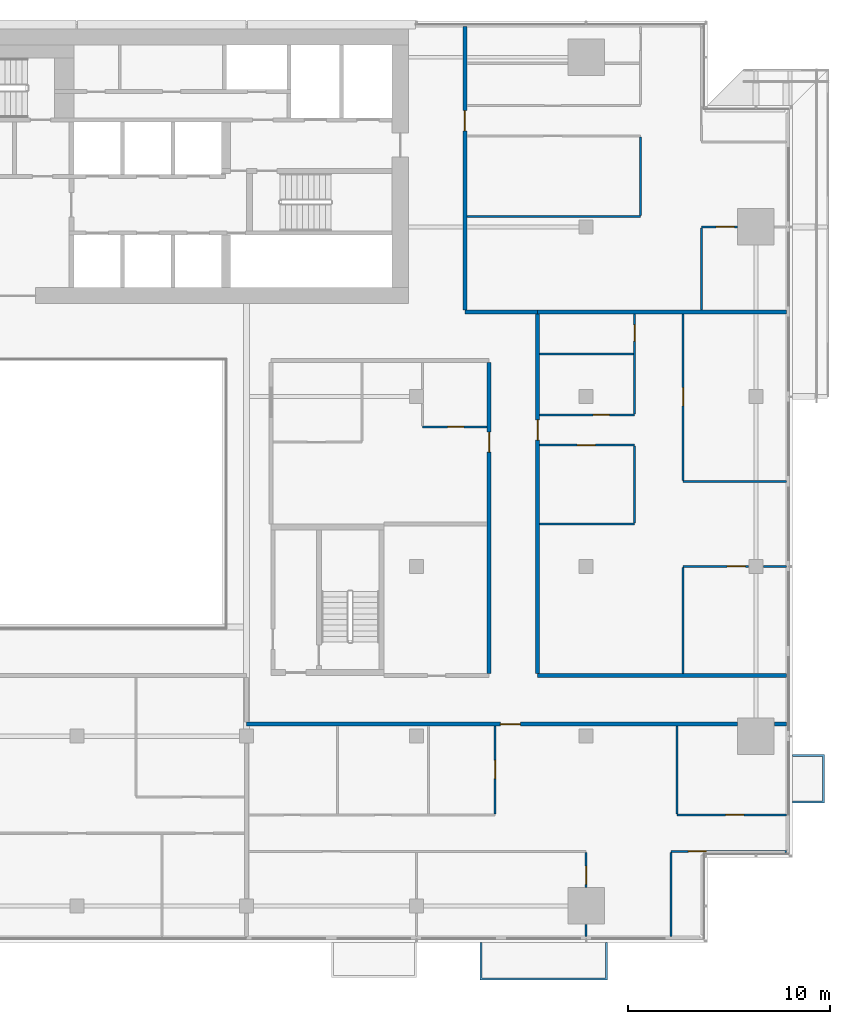
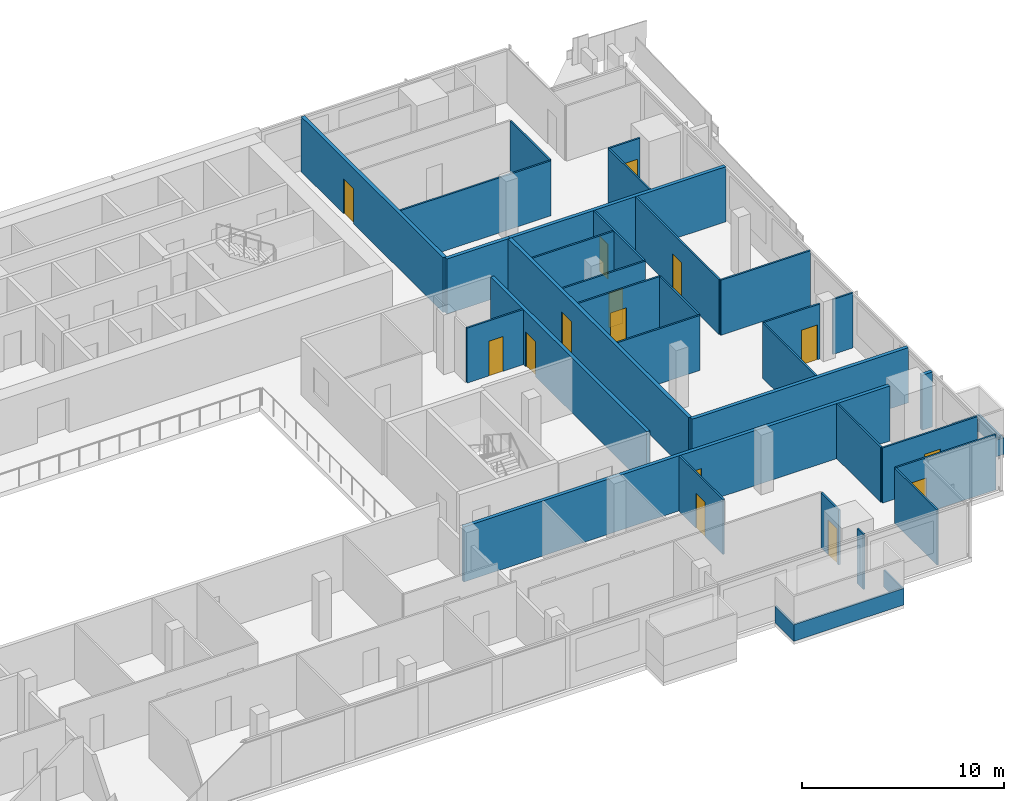
# One storey, part 24 of 30: 33 walls, 15 doors, 15 openings.
"""IFC4 building model written with IfcOpenShell, lengths in metres."""

from ifc_helpers import new_model, si_unit, direction, frame, frame_2d, origin, place, context, subcontext, project, spatial, polyline, rectangle, outline, extrude, material, layer, layer_set, type_object, element, fill, save


model = new_model("IFC4")

# Units and contexts
model_context = context("Model", 3, precision=1e-05, world=origin(), true_north=direction((0.0, 1.0)))
body_context = subcontext(model_context, "Body", "Model", "MODEL_VIEW")
ifc_project = project(units=[si_unit("LENGTHUNIT", "METRE"), si_unit("AREAUNIT", "SQUARE_METRE"), si_unit("VOLUMEUNIT", "CUBIC_METRE"), si_unit("PLANEANGLEUNIT", "RADIAN"), si_unit("MASSUNIT", "GRAM", prefix="KILO")], contexts=[model_context])

# Site, building, storey
site_placement = place(None, origin())
site = spatial("IfcSite", under=ifc_project, at=site_placement, CompositionType="ELEMENT")
building_placement = place(site_placement, origin())
building = spatial("IfcBuilding", under=site, at=building_placement, Name="Saffron Gate Tower", CompositionType="ELEMENT")
storey_placement = place(building_placement, frame((0.0, 0.0, 165.449951171875)))
storey = spatial("IfcBuildingStorey", under=building, at=storey_placement, Name="L40", CompositionType="ELEMENT", Elevation=165.449951171875)

# Wall, opening, door
ifc_material_1 = material(Name="Plasterboard on steel studs", Category="steel")
ifc_layer_1 = layer(ifc_material_1, 0.10009765625)
ifc_layer_set_1 = layer_set([ifc_layer_1], Name="PW1 Partition 100")
wall_type_1 = type_object("IfcWallType", Name="PW1 Partition 100", PredefinedType="PARTITIONING", material=ifc_layer_set_1)
wall_1_placement = place(storey_placement, frame((126.919921875, 34.5, 0.0), z_axis=(0.0, 0.0, 1.0), x_axis=(-1.0, 0.0, 0.0)))
wall_1 = element("IfcWall", 1, at=wall_1_placement, inside=storey, type_object=wall_type_1, Name="Partition C2-4", PredefinedType="PARTITIONING", context=body_context, shape_type="SweptSolid", body=[
    extrude(rectangle(XDim=5.719970703125, YDim=0.10009765625, at=frame_2d((2.85986328125, 0.0))), origin(), (0.0, 0.0, 1.0), 3.320068359375),
])
opening_1_placement = place(wall_1_placement, frame((3.96630859375, 0.0, 0.0)))
opening_1 = element("IfcOpeningElement", 2, at=opening_1_placement, cuts=wall_1, Name="Opening C2-22", PredefinedType="OPENING", context=body_context, shape_type="SweptSolid", body=[
    extrude(rectangle(XDim=0.89990234375, YDim=2.10009765625, at=frame_2d((0.449951171875, 1.050048828125))), frame((0.0, 0.06005859375, 0.0), z_axis=(0.0, -1.0, 0.0), x_axis=(1.0, 0.0, 0.0)), (0.0, 0.0, 1.0), 0.1201171875),
])
ifc_material_2 = material(Name="Timber door set", Category="wood")
door_type_1 = type_object("IfcDoorType", Name="RD1 Room door 900x2100", OperationType="NOTDEFINED", PredefinedType="DOOR", material=ifc_material_2)
door_1_placement = place(opening_1_placement, origin())
door_1 = element("IfcDoor", 3, at=door_1_placement, inside=storey, type_object=door_type_1, Name="Door C2-22", OperationType="SINGLE_SWING_RIGHT", OverallHeight=2.10009765625, OverallWidth=0.89990234375, PredefinedType="DOOR", context=body_context, shape_type="SweptSolid", body=[
    extrude(rectangle(XDim=0.89990234375, YDim=2.10009765625, at=frame_2d((0.449951171875, 1.050048828125))), frame((0.0, 0.02490234375, 0.0), z_axis=(0.0, -1.0, 0.0), x_axis=(1.0, 0.0, 0.0)), (0.0, 0.0, 1.0), 0.050048828125),
])
fill(opening_1, door_1)

wall_2_placement = place(storey_placement, frame((121.5, 36.300048828125, 0.0), z_axis=(0.0, 0.0, 1.0), x_axis=(1.0, 0.0, 0.0)))
wall_2 = element("IfcWall", 4, at=wall_2_placement, inside=storey, type_object=wall_type_1, Name="Partition C2-9", PredefinedType="PARTITIONING", context=body_context, shape_type="SweptSolid", body=[
    extrude(rectangle(XDim=5.419921875, YDim=0.10009765625, at=frame_2d((2.7099609375, 0.0))), origin(), (0.0, 0.0, 1.0), 3.320068359375),
])
opening_2_placement = place(wall_2_placement, frame((2.39990234375, 0.0, 0.0)))
opening_2 = element("IfcOpeningElement", 5, at=opening_2_placement, cuts=wall_2, Name="Opening C2-23", PredefinedType="OPENING", context=body_context, shape_type="SweptSolid", body=[
    extrude(rectangle(XDim=0.89990234375, YDim=2.10009765625, at=frame_2d((0.449951171875, 1.050048828125))), frame((0.0, 0.06005859375, 0.0), z_axis=(0.0, -1.0, 0.0), x_axis=(1.0, 0.0, 0.0)), (0.0, 0.0, 1.0), 0.1201171875),
])
door_2_placement = place(opening_2_placement, origin())
door_2 = element("IfcDoor", 6, at=door_2_placement, inside=storey, type_object=door_type_1, Name="Door C2-23", OperationType="SINGLE_SWING_RIGHT", OverallHeight=2.10009765625, OverallWidth=0.89990234375, PredefinedType="DOOR", context=body_context, shape_type="SweptSolid", body=[
    extrude(rectangle(XDim=0.89990234375, YDim=2.10009765625, at=frame_2d((0.449951171875, 1.050048828125))), frame((0.0, 0.02490234375, 0.0), z_axis=(0.0, -1.0, 0.0), x_axis=(1.0, 0.0, 0.0)), (0.0, 0.0, 1.0), 0.050048828125),
])
fill(opening_2, door_2)

wall_3_placement = place(storey_placement, frame((125.030029296875, 48.60009765625, 0.0), z_axis=(0.0, 0.0, 1.0), x_axis=(-1.0, 0.0, 0.0)))
wall_3 = element("IfcWall", 7, at=wall_3_placement, inside=storey, type_object=wall_type_1, Name="Partition C2-24", PredefinedType="PARTITIONING", context=body_context, shape_type="SweptSolid", body=[
    extrude(rectangle(XDim=3.22998046875, YDim=0.10009765625, at=frame_2d((1.614990234375, 0.0))), origin(), (0.0, 0.0, 1.0), 3.320068359375),
])
opening_3_placement = place(wall_3_placement, frame((0.14990234375, 0.0, 0.0)))
opening_3 = element("IfcOpeningElement", 8, at=opening_3_placement, cuts=wall_3, Name="Opening C2-31", PredefinedType="OPENING", context=body_context, shape_type="SweptSolid", body=[
    extrude(rectangle(XDim=0.89990234375, YDim=2.10009765625, at=frame_2d((0.449951171875, 1.050048828125))), frame((0.0, 0.06005859375, 0.0), z_axis=(0.0, -1.0, 0.0), x_axis=(1.0, 0.0, 0.0)), (0.0, 0.0, 1.0), 0.1201171875),
])
door_3_placement = place(opening_3_placement, origin())
door_3 = element("IfcDoor", 9, at=door_3_placement, inside=storey, type_object=door_type_1, Name="Door C2-31", OperationType="SINGLE_SWING_LEFT", OverallHeight=2.10009765625, OverallWidth=0.89990234375, PredefinedType="DOOR", context=body_context, shape_type="SweptSolid", body=[
    extrude(rectangle(XDim=0.89990234375, YDim=2.10009765625, at=frame_2d((0.449951171875, 1.050048828125))), frame((0.0, 0.02490234375, 0.0), z_axis=(0.0, -1.0, 0.0), x_axis=(1.0, 0.0, 0.0)), (0.0, 0.0, 1.0), 0.050048828125),
])
fill(opening_3, door_3)

# Walls
wall_4_placement = place(storey_placement, frame((125.77001953125, 48.60009765625, 0.0), z_axis=(0.0, 0.0, 1.0), x_axis=(1.0, 0.0, 0.0)))
element("IfcWall", 10, at=wall_4_placement, inside=storey, type_object=wall_type_1, Name="Partition C2-25", PredefinedType="PARTITIONING", context=body_context, shape_type="SweptSolid", body=[
    extrude(rectangle(XDim=1.14990234375, YDim=0.10009765625, at=frame_2d((0.574951171875, 0.0))), origin(), (0.0, 0.0, 1.0), 3.320068359375),
])
wall_5_placement = place(storey_placement, frame((114.699951171875, 50.699951171875, 0.0), z_axis=(0.0, 0.0, 1.0), x_axis=(1.0, 0.0, 0.0)))
element("IfcWall", 11, at=wall_5_placement, inside=storey, type_object=wall_type_1, Name="Partition C2-28", PredefinedType="PARTITIONING", context=body_context, shape_type="SweptSolid", body=[
    extrude(rectangle(XDim=4.699951171875, YDim=0.10009765625, at=frame_2d((2.35009765625, 0.0))), origin(), (0.0, 0.0, 1.0), 3.320068359375),
])
wall_6_placement = place(storey_placement, frame((121.800048828125, 52.800048828125, 0.0), z_axis=(0.0, 0.0, 1.0), x_axis=(1.0, 0.0, 0.0)))
element("IfcWall", 12, at=wall_6_placement, inside=storey, type_object=wall_type_1, Name="Partition C2-30", PredefinedType="PARTITIONING", context=body_context, shape_type="SweptSolid", body=[
    extrude(rectangle(XDim=5.119873046875, YDim=0.10009765625, at=frame_2d((2.56005859375, 0.0))), origin(), (0.0, 0.0, 1.0), 3.320068359375),
])

# Wall, opening, door
wall_7_placement = place(storey_placement, frame((119.39990234375, 54.60009765625, 0.0), z_axis=(0.0, 0.0, 1.0), x_axis=(-1.0, 0.0, 0.0)))
wall_7 = element("IfcWall", 13, at=wall_7_placement, inside=storey, type_object=wall_type_1, Name="Partition C2-31", PredefinedType="PARTITIONING", context=body_context, shape_type="SweptSolid", body=[
    extrude(rectangle(XDim=4.699951171875, YDim=0.10009765625, at=frame_2d((2.35009765625, 0.0))), origin(), (0.0, 0.0, 1.0), 3.320068359375),
])
opening_4_placement = place(wall_7_placement, frame((1.949951171875, 0.0, 0.0)))
opening_4 = element("IfcOpeningElement", 14, at=opening_4_placement, cuts=wall_7, Name="Opening C2-33", PredefinedType="OPENING", context=body_context, shape_type="SweptSolid", body=[
    extrude(rectangle(XDim=0.89990234375, YDim=2.10009765625, at=frame_2d((0.449951171875, 1.050048828125))), frame((0.0, 0.06005859375, 0.0), z_axis=(0.0, -1.0, 0.0), x_axis=(1.0, 0.0, 0.0)), (0.0, 0.0, 1.0), 0.1201171875),
])
door_4_placement = place(opening_4_placement, origin())
door_4 = element("IfcDoor", 15, at=door_4_placement, inside=storey, type_object=door_type_1, Name="Door C2-33", OperationType="SINGLE_SWING_RIGHT", OverallHeight=2.10009765625, OverallWidth=0.89990234375, PredefinedType="DOOR", context=body_context, shape_type="SweptSolid", body=[
    extrude(rectangle(XDim=0.89990234375, YDim=2.10009765625, at=frame_2d((0.449951171875, 1.050048828125))), frame((0.0, 0.02490234375, 0.0), z_axis=(0.0, -1.0, 0.0), x_axis=(1.0, 0.0, 0.0)), (0.0, 0.0, 1.0), 0.050048828125),
])
fill(opening_4, door_4)

wall_8_placement = place(storey_placement, frame((108.89990234375, 55.5, 0.0), z_axis=(0.0, 0.0, 1.0), x_axis=(1.0, 0.0, 0.0)))
wall_8 = element("IfcWall", 16, at=wall_8_placement, inside=storey, type_object=wall_type_1, Name="Partition C2-34", PredefinedType="PARTITIONING", context=body_context, shape_type="SweptSolid", body=[
    extrude(rectangle(XDim=3.2001953125, YDim=0.10009765625, at=frame_2d((1.60009765625, 0.0))), origin(), (0.0, 0.0, 1.0), 3.320068359375),
])
opening_5_placement = place(wall_8_placement, frame((1.25, 0.0, 0.0)))
opening_5 = element("IfcOpeningElement", 17, at=opening_5_placement, cuts=wall_8, Name="Opening C2-53", PredefinedType="OPENING", context=body_context, shape_type="SweptSolid", body=[
    extrude(rectangle(XDim=0.800048828125, YDim=2.10009765625, at=frame_2d((0.39990234375, 1.050048828125))), frame((0.0, 0.06005859375, 0.0), z_axis=(0.0, -1.0, 0.0), x_axis=(1.0, 0.0, 0.0)), (0.0, 0.0, 1.0), 0.1201171875),
])
door_type_2 = type_object("IfcDoorType", Name="RD2 Bathroom door 800x2100", OperationType="NOTDEFINED", PredefinedType="DOOR", material=ifc_material_2)
door_5_placement = place(opening_5_placement, origin())
door_5 = element("IfcDoor", 18, at=door_5_placement, inside=storey, type_object=door_type_2, Name="Door C2-53", OperationType="SINGLE_SWING_RIGHT", OverallHeight=2.10009765625, OverallWidth=0.800048828125, PredefinedType="DOOR", context=body_context, shape_type="SweptSolid", body=[
    extrude(rectangle(XDim=0.800048828125, YDim=2.10009765625, at=frame_2d((0.39990234375, 1.050048828125))), frame((0.0, 0.02490234375, 0.0), z_axis=(0.0, -1.0, 0.0), x_axis=(1.0, 0.0, 0.0)), (0.0, 0.0, 1.0), 0.050048828125),
])
fill(opening_5, door_5)

wall_9_placement = place(storey_placement, frame((114.699951171875, 56.10009765625, 0.0), z_axis=(0.0, 0.0, 1.0), x_axis=(1.0, 0.0, 0.0)))
wall_9 = element("IfcWall", 19, at=wall_9_placement, inside=storey, type_object=wall_type_1, Name="Partition C2-36", PredefinedType="PARTITIONING", context=body_context, shape_type="SweptSolid", body=[
    extrude(rectangle(XDim=4.699951171875, YDim=0.10009765625, at=frame_2d((2.35009765625, 0.0))), origin(), (0.0, 0.0, 1.0), 3.320068359375),
])
opening_6_placement = place(wall_9_placement, frame((2.64990234375, 0.0, 0.0)))
opening_6 = element("IfcOpeningElement", 20, at=opening_6_placement, cuts=wall_9, Name="Opening C2-48", PredefinedType="OPENING", context=body_context, shape_type="SweptSolid", body=[
    extrude(rectangle(XDim=0.800048828125, YDim=2.10009765625, at=frame_2d((0.39990234375, 1.050048828125))), frame((0.0, 0.06005859375, 0.0), z_axis=(0.0, -1.0, 0.0), x_axis=(1.0, 0.0, 0.0)), (0.0, 0.0, 1.0), 0.1201171875),
])
door_6_placement = place(opening_6_placement, origin())
door_6 = element("IfcDoor", 21, at=door_6_placement, inside=storey, type_object=door_type_2, Name="Door C2-48", OperationType="SINGLE_SWING_RIGHT", OverallHeight=2.10009765625, OverallWidth=0.800048828125, PredefinedType="DOOR", context=body_context, shape_type="SweptSolid", body=[
    extrude(rectangle(XDim=0.800048828125, YDim=2.10009765625, at=frame_2d((0.39990234375, 1.050048828125))), frame((0.0, 0.02490234375, 0.0), z_axis=(0.0, -1.0, 0.0), x_axis=(1.0, 0.0, 0.0)), (0.0, 0.0, 1.0), 0.050048828125),
])
fill(opening_6, door_6)

# Wall
wall_10_placement = place(storey_placement, frame((114.699951171875, 59.10009765625, 0.0), z_axis=(0.0, 0.0, 1.0), x_axis=(1.0, 0.0, 0.0)))
element("IfcWall", 22, at=wall_10_placement, inside=storey, type_object=wall_type_1, Name="Partition C2-41", PredefinedType="PARTITIONING", context=body_context, shape_type="SweptSolid", body=[
    extrude(rectangle(XDim=4.650146484375, YDim=0.10009765625, at=frame_2d((2.3251953125, 0.0))), origin(), (0.0, 0.0, 1.0), 3.320068359375),
])

# Wall, opening, door
wall_11_placement = place(storey_placement, frame((124.47998046875, 65.39990234375, 0.0), z_axis=(0.0, 0.0, 1.0), x_axis=(-1.0, 0.0, 0.0)))
wall_11 = element("IfcWall", 23, at=wall_11_placement, inside=storey, type_object=wall_type_1, Name="Partition C2-47", PredefinedType="PARTITIONING", context=body_context, shape_type="SweptSolid", body=[
    extrude(rectangle(XDim=1.780029296875, YDim=0.10009765625, at=frame_2d((0.89013671875, 0.0))), origin(), (0.0, 0.0, 1.0), 3.320068359375),
])
opening_7_placement = place(wall_11_placement, frame((0.14990234375, 0.0, 0.0)))
opening_7 = element("IfcOpeningElement", 24, at=opening_7_placement, cuts=wall_11, Name="Opening C2-34", PredefinedType="OPENING", context=body_context, shape_type="SweptSolid", body=[
    extrude(rectangle(XDim=0.89990234375, YDim=2.10009765625, at=frame_2d((0.449951171875, 1.050048828125))), frame((0.0, 0.06005859375, 0.0), z_axis=(0.0, -1.0, 0.0), x_axis=(1.0, 0.0, 0.0)), (0.0, 0.0, 1.0), 0.1201171875),
])
door_7_placement = place(opening_7_placement, origin())
door_7 = element("IfcDoor", 25, at=door_7_placement, inside=storey, type_object=door_type_1, Name="Door C2-34", OperationType="SINGLE_SWING_LEFT", OverallHeight=2.10009765625, OverallWidth=0.89990234375, PredefinedType="DOOR", context=body_context, shape_type="SweptSolid", body=[
    extrude(rectangle(XDim=0.89990234375, YDim=2.10009765625, at=frame_2d((0.449951171875, 1.050048828125))), frame((0.0, 0.02490234375, 0.0), z_axis=(0.0, -1.0, 0.0), x_axis=(1.0, 0.0, 0.0)), (0.0, 0.0, 1.0), 0.050048828125),
])
fill(opening_7, door_7)

# Wall
wall_12_placement = place(storey_placement, frame((111.10009765625, 65.91259765625, 0.0), z_axis=(0.0, 0.0, 1.0), x_axis=(1.0, 0.0, 0.0)))
element("IfcWall", 26, at=wall_12_placement, inside=storey, type_object=wall_type_1, Name="Partition C2-51", PredefinedType="PARTITIONING", context=body_context, shape_type="SweptSolid", body=[
    extrude(rectangle(XDim=8.599853515625, YDim=0.10009765625, at=frame_2d((4.2998046875, 0.0))), origin(), (0.0, 0.0, 1.0), 3.320068359375),
])

# Wall, opening, door
wall_13_placement = place(storey_placement, frame((112.5, 36.35009765625, 0.0), z_axis=(0.0, 0.0, 1.0), x_axis=(0.0, 1.0, 0.0)))
wall_13 = element("IfcWall", 27, at=wall_13_placement, inside=storey, type_object=wall_type_1, Name="Partition C2-106", PredefinedType="PARTITIONING", context=body_context, shape_type="SweptSolid", body=[
    extrude(rectangle(XDim=4.349853515625, YDim=0.10009765625, at=frame_2d((2.1748046875, 0.0))), origin(), (0.0, 0.0, 1.0), 3.320068359375),
])
opening_8_placement = place(wall_13_placement, frame((1.75, 0.0, 0.0)))
opening_8 = element("IfcOpeningElement", 28, at=opening_8_placement, cuts=wall_13, Name="Opening C2-24", PredefinedType="OPENING", context=body_context, shape_type="SweptSolid", body=[
    extrude(rectangle(XDim=0.89990234375, YDim=2.10009765625, at=frame_2d((0.449951171875, 1.050048828125))), frame((0.0, 0.06005859375, 0.0), z_axis=(0.0, -1.0, 0.0), x_axis=(1.0, 0.0, 0.0)), (0.0, 0.0, 1.0), 0.1201171875),
])
door_8_placement = place(opening_8_placement, origin())
door_8 = element("IfcDoor", 29, at=door_8_placement, inside=storey, type_object=door_type_1, Name="Door C2-24", OperationType="SINGLE_SWING_RIGHT", OverallHeight=2.10009765625, OverallWidth=0.89990234375, PredefinedType="DOOR", context=body_context, shape_type="SweptSolid", body=[
    extrude(rectangle(XDim=0.89990234375, YDim=2.10009765625, at=frame_2d((0.449951171875, 1.050048828125))), frame((0.0, 0.02490234375, 0.0), z_axis=(0.0, -1.0, 0.0), x_axis=(1.0, 0.0, 0.0)), (0.0, 0.0, 1.0), 0.050048828125),
])
fill(opening_8, door_8)

# Wall
wall_14_placement = place(storey_placement, frame((117.0, 30.8798828125, 0.0), z_axis=(0.0, 0.0, 1.0), x_axis=(0.0, -1.0, 0.0)))
element("IfcWall", 30, at=wall_14_placement, inside=storey, type_object=wall_type_1, Name="Partition C2-108", PredefinedType="PARTITIONING", context=body_context, shape_type="SweptSolid", body=[
    extrude(rectangle(XDim=0.599853515625, YDim=0.10009765625, at=frame_2d((0.2998046875, 0.0))), origin(), (0.0, 0.0, 1.0), 3.320068359375),
])

# Wall, opening, door
wall_15_placement = place(storey_placement, frame((117.0, 32.719970703125, 0.0), z_axis=(0.0, 0.0, 1.0), x_axis=(0.0, 1.0, 0.0)))
wall_15 = element("IfcWall", 31, at=wall_15_placement, inside=storey, type_object=wall_type_1, Name="Partition C2-109", PredefinedType="PARTITIONING", context=body_context, shape_type="SweptSolid", body=[
    extrude(rectangle(XDim=1.72998046875, YDim=0.10009765625, at=frame_2d((0.864990234375, 0.0))), origin(), (0.0, 0.0, 1.0), 3.320068359375),
])
opening_9_placement = place(wall_15_placement, frame((0.14990234375, 0.0, 0.0)))
opening_9 = element("IfcOpeningElement", 32, at=opening_9_placement, cuts=wall_15, Name="Opening C2-21", PredefinedType="OPENING", context=body_context, shape_type="SweptSolid", body=[
    extrude(rectangle(XDim=0.89990234375, YDim=2.10009765625, at=frame_2d((0.449951171875, 1.050048828125))), frame((0.0, 0.06005859375, 0.0), z_axis=(0.0, -1.0, 0.0), x_axis=(1.0, 0.0, 0.0)), (0.0, 0.0, 1.0), 0.1201171875),
])
door_9_placement = place(opening_9_placement, origin())
door_9 = element("IfcDoor", 33, at=door_9_placement, inside=storey, type_object=door_type_1, Name="Door C2-21", OperationType="SINGLE_SWING_LEFT", OverallHeight=2.10009765625, OverallWidth=0.89990234375, PredefinedType="DOOR", context=body_context, shape_type="SweptSolid", body=[
    extrude(rectangle(XDim=0.89990234375, YDim=2.10009765625, at=frame_2d((0.449951171875, 1.050048828125))), frame((0.0, 0.02490234375, 0.0), z_axis=(0.0, -1.0, 0.0), x_axis=(1.0, 0.0, 0.0)), (0.0, 0.0, 1.0), 0.050048828125),
])
fill(opening_9, door_9)

# Wall
wall_16_placement = place(storey_placement, frame((119.39990234375, 54.550048828125, 0.0), z_axis=(0.0, 0.0, 1.0), x_axis=(0.0, -1.0, 0.0)))
element("IfcWall", 34, at=wall_16_placement, inside=storey, type_object=wall_type_1, Name="Partition C2-110", PredefinedType="PARTITIONING", context=body_context, shape_type="SweptSolid", body=[
    extrude(rectangle(XDim=3.800048828125, YDim=0.10009765625, at=frame_2d((1.89990234375, 0.0))), origin(), (0.0, 0.0, 1.0), 3.320068359375),
])

# Wall, opening, door
wall_17_placement = place(storey_placement, frame((119.39990234375, 56.14990234375, 0.0), z_axis=(0.0, 0.0, 1.0), x_axis=(0.0, 1.0, 0.0)))
wall_17 = element("IfcWall", 35, at=wall_17_placement, inside=storey, type_object=wall_type_1, Name="Partition C2-111", PredefinedType="PARTITIONING", context=body_context, shape_type="SweptSolid", body=[
    extrude(rectangle(XDim=4.9501953125, YDim=0.10009765625, at=frame_2d((2.47509765625, 0.0))), origin(), (0.0, 0.0, 1.0), 3.320068359375),
])
opening_10_placement = place(wall_17_placement, frame((3.60009765625, 0.0, 0.0)))
opening_10 = element("IfcOpeningElement", 36, at=opening_10_placement, cuts=wall_17, Name="Opening C2-49", PredefinedType="OPENING", context=body_context, shape_type="SweptSolid", body=[
    extrude(rectangle(XDim=0.800048828125, YDim=2.10009765625, at=frame_2d((0.39990234375, 1.050048828125))), frame((0.0, 0.06005859375, 0.0), z_axis=(0.0, -1.0, 0.0), x_axis=(1.0, 0.0, 0.0)), (0.0, 0.0, 1.0), 0.1201171875),
])
door_10_placement = place(opening_10_placement, origin())
door_10 = element("IfcDoor", 37, at=door_10_placement, inside=storey, type_object=door_type_2, Name="Door C2-49", OperationType="SINGLE_SWING_RIGHT", OverallHeight=2.10009765625, OverallWidth=0.800048828125, PredefinedType="DOOR", context=body_context, shape_type="SweptSolid", body=[
    extrude(rectangle(XDim=0.800048828125, YDim=2.10009765625, at=frame_2d((0.39990234375, 1.050048828125))), frame((0.0, 0.02490234375, 0.0), z_axis=(0.0, -1.0, 0.0), x_axis=(1.0, 0.0, 0.0)), (0.0, 0.0, 1.0), 0.050048828125),
])
fill(opening_10, door_10)

# Walls
wall_18_placement = place(storey_placement, frame((119.699951171875, 69.85009765625, 0.0), z_axis=(0.0, 0.0, 1.0), x_axis=(0.0, -1.0, 0.0)))
element("IfcWall", 38, at=wall_18_placement, inside=storey, type_object=wall_type_1, Name="Partition C2-112", PredefinedType="PARTITIONING", context=body_context, shape_type="SweptSolid", body=[
    extrude(rectangle(XDim=3.887451171875, YDim=0.10009765625, at=frame_2d((1.94384765625, 0.0))), origin(), (0.0, 0.0, 1.0), 3.320068359375),
])
wall_19_placement = place(storey_placement, frame((121.199951171875, 34.449951171875, 0.0), z_axis=(0.0, 0.0, 1.0), x_axis=(0.0, -1.0, 0.0)))
element("IfcWall", 39, at=wall_19_placement, inside=storey, type_object=wall_type_1, Name="Partition C2-114", PredefinedType="PARTITIONING", context=body_context, shape_type="SweptSolid", body=[
    extrude(rectangle(XDim=4.169921875, YDim=0.10009765625, at=frame_2d((2.0849609375, 0.0))), origin(), (0.0, 0.0, 1.0), 3.320068359375),
])
wall_20_placement = place(storey_placement, frame((121.5, 40.699951171875, 0.0), z_axis=(0.0, 0.0, 1.0), x_axis=(0.0, -1.0, 0.0)))
element("IfcWall", 40, at=wall_20_placement, inside=storey, type_object=wall_type_1, Name="Partition C2-115", PredefinedType="PARTITIONING", context=body_context, shape_type="SweptSolid", body=[
    extrude(rectangle(XDim=4.349853515625, YDim=0.10009765625, at=frame_2d((2.1748046875, 0.0))), origin(), (0.0, 0.0, 1.0), 3.320068359375),
])
wall_21_placement = place(storey_placement, frame((121.800048828125, 48.550048828125, 0.0), z_axis=(0.0, 0.0, 1.0), x_axis=(0.0, -1.0, 0.0)))
element("IfcWall", 41, at=wall_21_placement, inside=storey, type_object=wall_type_1, Name="Partition C2-116", PredefinedType="PARTITIONING", context=body_context, shape_type="SweptSolid", body=[
    extrude(rectangle(XDim=5.25, YDim=0.10009765625, at=frame_2d((2.625, 0.0))), origin(), (0.0, 0.0, 1.0), 3.320068359375),
])

# Wall, opening, door
wall_22_placement = place(storey_placement, frame((121.800048828125, 61.10009765625, 0.0), z_axis=(0.0, 0.0, 1.0), x_axis=(0.0, -1.0, 0.0)))
wall_22 = element("IfcWall", 42, at=wall_22_placement, inside=storey, type_object=wall_type_1, Name="Partition C2-117", PredefinedType="PARTITIONING", context=body_context, shape_type="SweptSolid", body=[
    extrude(rectangle(XDim=8.25, YDim=0.10009765625, at=frame_2d((4.125, 0.0))), origin(), (0.0, 0.0, 1.0), 3.320068359375),
])
opening_11_placement = place(wall_22_placement, frame((3.64990234375, 0.0, 0.0)))
opening_11 = element("IfcOpeningElement", 43, at=opening_11_placement, cuts=wall_22, Name="Opening C2-32", PredefinedType="OPENING", context=body_context, shape_type="SweptSolid", body=[
    extrude(rectangle(XDim=0.89990234375, YDim=2.10009765625, at=frame_2d((0.449951171875, 1.050048828125))), frame((0.0, 0.06005859375, 0.0), z_axis=(0.0, -1.0, 0.0), x_axis=(1.0, 0.0, 0.0)), (0.0, 0.0, 1.0), 0.1201171875),
])
door_11_placement = place(opening_11_placement, origin())
door_11 = element("IfcDoor", 44, at=door_11_placement, inside=storey, type_object=door_type_1, Name="Door C2-32", OperationType="SINGLE_SWING_LEFT", OverallHeight=2.10009765625, OverallWidth=0.89990234375, PredefinedType="DOOR", context=body_context, shape_type="SweptSolid", body=[
    extrude(rectangle(XDim=0.89990234375, YDim=2.10009765625, at=frame_2d((0.449951171875, 1.050048828125))), frame((0.0, 0.02490234375, 0.0), z_axis=(0.0, -1.0, 0.0), x_axis=(1.0, 0.0, 0.0)), (0.0, 0.0, 1.0), 0.050048828125),
])
fill(opening_11, door_11)

# Walls
wall_23_placement = place(storey_placement, frame((122.699951171875, 65.35009765625, 0.0), z_axis=(0.0, 0.0, 1.0), x_axis=(0.0, -1.0, 0.0)))
element("IfcWall", 45, at=wall_23_placement, inside=storey, type_object=wall_type_1, Name="Partition C2-118", PredefinedType="PARTITIONING", context=body_context, shape_type="SweptSolid", body=[
    extrude(rectangle(XDim=4.050048828125, YDim=0.10009765625, at=frame_2d((2.02490234375, 0.0))), origin(), (0.0, 0.0, 1.0), 3.320068359375),
])
ifc_material_3 = material(Name="Clay brick masonry, rendered", Category="masonry")
ifc_layer_2 = layer(ifc_material_3, 0.199951171875)
ifc_layer_set_2 = layer_set([ifc_layer_2], Name="PW2 Demising wall 200")
wall_type_2 = type_object("IfcWallType", Name="PW2 Demising wall 200", PredefinedType="PARTITIONING", material=ifc_layer_set_2)
wall_24_placement = place(storey_placement, frame((114.60009765625, 61.199951171875, 0.0), z_axis=(0.0, 0.0, 1.0), x_axis=(1.0, 0.0, 0.0)))
element("IfcWall", 46, at=wall_24_placement, inside=storey, type_object=wall_type_2, Name="Wall C2-46", PredefinedType="PARTITIONING", context=body_context, shape_type="SweptSolid", body=[
    extrude(rectangle(XDim=12.31982421875, YDim=0.199951171875, at=frame_2d((6.159912109375, 0.0))), origin(), (0.0, 0.0, 1.0), 3.320068359375),
])

# Wall, opening, door
ifc_layer_3 = layer(ifc_material_3, 0.199951171875)
ifc_layer_set_3 = layer_set([ifc_layer_3], Name="PW3 Corridor wall 200")
wall_type_3 = type_object("IfcWallType", Name="PW3 Corridor wall 200", PredefinedType="PARTITIONING", material=ifc_layer_set_3)
wall_25_placement = place(storey_placement, frame((124.47998046875, 40.800048828125, 0.0), z_axis=(0.0, 0.0, 1.0), x_axis=(-1.0, 0.0, 0.0)))
wall_25 = element("IfcWall", 47, at=wall_25_placement, inside=storey, type_object=wall_type_3, Name="Wall C2-14", PredefinedType="PARTITIONING", context=body_context, shape_type="SweptSolid", body=[
    extrude(rectangle(XDim=24.280029296875, YDim=0.199951171875, at=frame_2d((12.14013671875, 0.0))), origin(), (0.0, 0.0, 1.0), 3.320068359375),
])
opening_12_placement = place(wall_25_placement, frame((10.72998046875, 0.0, 0.0)))
opening_12 = element("IfcOpeningElement", 48, at=opening_12_placement, cuts=wall_25, Name="Opening C2-3", PredefinedType="OPENING", context=body_context, shape_type="SweptSolid", body=[
    extrude(rectangle(XDim=1.0, YDim=2.10009765625, at=frame_2d((0.5, 1.050048828125))), frame((0.0, 0.10986328125, 0.0), z_axis=(0.0, -1.0, 0.0), x_axis=(1.0, 0.0, 0.0)), (0.0, 0.0, 1.0), 0.219970703125),
])
ifc_material_4 = material(Name="Timber fire door set", Category="wood")
door_type_3 = type_object("IfcDoorType", Name="FD1 Flat entry door 1000x2100", OperationType="NOTDEFINED", PredefinedType="DOOR", material=ifc_material_4)
door_12_placement = place(opening_12_placement, origin())
door_12 = element("IfcDoor", 49, at=door_12_placement, inside=storey, type_object=door_type_3, Name="Door C2-3", OperationType="SINGLE_SWING_RIGHT", OverallHeight=2.10009765625, OverallWidth=1.0, PredefinedType="DOOR", context=body_context, shape_type="SweptSolid", body=[
    extrude(rectangle(XDim=1.0, YDim=2.10009765625, at=frame_2d((0.5, 1.050048828125))), frame((0.0, 0.02490234375, 0.0), z_axis=(0.0, -1.0, 0.0), x_axis=(1.0, 0.0, 0.0)), (0.0, 0.0, 1.0), 0.050048828125),
])
fill(opening_12, door_12)

# Walls
wall_26_placement = place(storey_placement, frame((126.320068359375, 40.800048828125, 0.0), z_axis=(0.0, 0.0, 1.0), x_axis=(1.0, 0.0, 0.0)))
element("IfcWall", 50, at=wall_26_placement, inside=storey, type_object=wall_type_3, Name="Wall C2-15", PredefinedType="PARTITIONING", context=body_context, shape_type="SweptSolid", body=[
    extrude(rectangle(XDim=0.599853515625, YDim=0.199951171875, at=frame_2d((0.2998046875, 0.0))), origin(), (0.0, 0.0, 1.0), 3.320068359375),
])
wall_27_placement = place(storey_placement, frame((114.60009765625, 43.199951171875, 0.0), z_axis=(0.0, 0.0, 1.0), x_axis=(1.0, 0.0, 0.0)))
element("IfcWall", 51, at=wall_27_placement, inside=storey, type_object=wall_type_3, Name="Wall C2-20", PredefinedType="PARTITIONING", context=body_context, shape_type="SweptSolid", body=[
    extrude(rectangle(XDim=12.31982421875, YDim=0.199951171875, at=frame_2d((6.159912109375, 0.0))), origin(), (0.0, 0.0, 1.0), 3.320068359375),
])
wall_28_placement = place(storey_placement, frame((111.0, 61.199951171875, 0.0), z_axis=(0.0, 0.0, 1.0), x_axis=(1.0, 0.0, 0.0)))
element("IfcWall", 52, at=wall_28_placement, inside=storey, type_object=wall_type_3, Name="Wall C2-44", PredefinedType="PARTITIONING", context=body_context, shape_type="SweptSolid", body=[
    extrude(rectangle(XDim=3.60009765625, YDim=0.199951171875, at=frame_2d((1.800048828125, 0.0))), origin(), (0.0, 0.0, 1.0), 3.320068359375),
])

# Wall, opening, door
wall_29_placement = place(storey_placement, frame((111.0, 75.320068359375, 0.0), z_axis=(0.0, 0.0, 1.0), x_axis=(0.0, -1.0, 0.0)))
wall_29 = element("IfcWall", 53, at=wall_29_placement, inside=storey, type_object=wall_type_3, Name="Wall C2-104", PredefinedType="PARTITIONING", context=body_context, shape_type="SweptSolid", body=[
    extrude(rectangle(XDim=14.02001953125, YDim=0.199951171875, at=frame_2d((7.010009765625, 0.0))), origin(), (0.0, 0.0, 1.0), 3.320068359375),
])
opening_13_placement = place(wall_29_placement, frame((4.169921875, 0.0, 0.0)))
opening_13 = element("IfcOpeningElement", 54, at=opening_13_placement, cuts=wall_29, Name="Opening C2-7", PredefinedType="OPENING", context=body_context, shape_type="SweptSolid", body=[
    extrude(rectangle(XDim=1.0, YDim=2.10009765625, at=frame_2d((0.5, 1.050048828125))), frame((0.0, 0.10986328125, 0.0), z_axis=(0.0, -1.0, 0.0), x_axis=(1.0, 0.0, 0.0)), (0.0, 0.0, 1.0), 0.219970703125),
])
door_13_placement = place(opening_13_placement, origin())
door_13 = element("IfcDoor", 55, at=door_13_placement, inside=storey, type_object=door_type_3, Name="Door C2-7", OperationType="SINGLE_SWING_RIGHT", OverallHeight=2.10009765625, OverallWidth=1.0, PredefinedType="DOOR", context=body_context, shape_type="SweptSolid", body=[
    extrude(rectangle(XDim=1.0, YDim=2.10009765625, at=frame_2d((0.5, 1.050048828125))), frame((0.0, 0.02490234375, 0.0), z_axis=(0.0, -1.0, 0.0), x_axis=(1.0, 0.0, 0.0)), (0.0, 0.0, 1.0), 0.050048828125),
])
fill(opening_13, door_13)

wall_30_placement = place(storey_placement, frame((112.199951171875, 43.300048828125, 0.0), z_axis=(0.0, 0.0, 1.0), x_axis=(0.0, 1.0, 0.0)))
wall_30 = element("IfcWall", 56, at=wall_30_placement, inside=storey, type_object=wall_type_3, Name="Wall C2-105", PredefinedType="PARTITIONING", context=body_context, shape_type="SweptSolid", body=[
    extrude(rectangle(XDim=15.39990234375, YDim=0.199951171875, at=frame_2d((7.699951171875, 0.0))), origin(), (0.0, 0.0, 1.0), 3.320068359375),
])
opening_14_placement = place(wall_30_placement, frame((10.949951171875, 0.0, 0.0)))
opening_14 = element("IfcOpeningElement", 57, at=opening_14_placement, cuts=wall_30, Name="Opening C2-9", PredefinedType="OPENING", context=body_context, shape_type="SweptSolid", body=[
    extrude(rectangle(XDim=1.0, YDim=2.10009765625, at=frame_2d((0.5, 1.050048828125))), frame((0.0, 0.10986328125, 0.0), z_axis=(0.0, -1.0, 0.0), x_axis=(1.0, 0.0, 0.0)), (0.0, 0.0, 1.0), 0.219970703125),
])
door_14_placement = place(opening_14_placement, origin())
door_14 = element("IfcDoor", 58, at=door_14_placement, inside=storey, type_object=door_type_3, Name="Door C2-9", OperationType="SINGLE_SWING_RIGHT", OverallHeight=2.10009765625, OverallWidth=1.0, PredefinedType="DOOR", context=body_context, shape_type="SweptSolid", body=[
    extrude(rectangle(XDim=1.0, YDim=2.10009765625, at=frame_2d((0.5, 1.050048828125))), frame((0.0, 0.02490234375, 0.0), z_axis=(0.0, -1.0, 0.0), x_axis=(1.0, 0.0, 0.0)), (0.0, 0.0, 1.0), 0.050048828125),
])
fill(opening_14, door_14)

wall_31_placement = place(storey_placement, frame((114.60009765625, 61.10009765625, 0.0), z_axis=(0.0, 0.0, 1.0), x_axis=(0.0, -1.0, 0.0)))
wall_31 = element("IfcWall", 59, at=wall_31_placement, inside=storey, type_object=wall_type_3, Name="Wall C2-107", PredefinedType="PARTITIONING", context=body_context, shape_type="SweptSolid", body=[
    extrude(rectangle(XDim=17.800048828125, YDim=0.199951171875, at=frame_2d((8.89990234375, 0.0))), origin(), (0.0, 0.0, 1.0), 3.320068359375),
])
opening_15_placement = place(wall_31_placement, frame((5.25, 0.0, 0.0)))
opening_15 = element("IfcOpeningElement", 60, at=opening_15_placement, cuts=wall_31, Name="Opening C2-6", PredefinedType="OPENING", context=body_context, shape_type="SweptSolid", body=[
    extrude(rectangle(XDim=1.0, YDim=2.10009765625, at=frame_2d((0.5, 1.050048828125))), frame((0.0, 0.10986328125, 0.0), z_axis=(0.0, -1.0, 0.0), x_axis=(1.0, 0.0, 0.0)), (0.0, 0.0, 1.0), 0.219970703125),
])
door_15_placement = place(opening_15_placement, origin())
door_15 = element("IfcDoor", 61, at=door_15_placement, inside=storey, type_object=door_type_3, Name="Door C2-6", OperationType="SINGLE_SWING_LEFT", OverallHeight=2.10009765625, OverallWidth=1.0, PredefinedType="DOOR", context=body_context, shape_type="SweptSolid", body=[
    extrude(rectangle(XDim=1.0, YDim=2.10009765625, at=frame_2d((0.5, 1.050048828125))), frame((0.0, 0.02490234375, 0.0), z_axis=(0.0, -1.0, 0.0), x_axis=(1.0, 0.0, 0.0)), (0.0, 0.0, 1.0), 0.050048828125),
])
fill(opening_15, door_15)

# Walls
ifc_material_5 = material(Name="Rendered insulated panel, white")
ifc_layer_4 = layer(ifc_material_5, 0.10009765625)
ifc_layer_set_4 = layer_set([ifc_layer_4], Name="WB3 box parapet white")
wall_type_4 = type_object("IfcWallType", Name="WB3 box parapet white", PredefinedType="SOLIDWALL", material=ifc_layer_set_4)
wall_32_placement = place(storey_placement, origin())
element("IfcWall", 62, at=wall_32_placement, inside=storey, type_object=wall_type_4, Name="WINDOW BOX parapet", PredefinedType="SOLIDWALL", context=body_context, shape_type="SweptSolid", body=[
    extrude(outline(polyline([(111.75, 30.0), (111.85009765625, 30.0), (111.85009765625, 28.23291015625), (117.949951171875, 28.23291015625), (117.949951171875, 30.0), (118.050048828125, 30.0), (118.050048828125, 28.133056640625), (111.75, 28.133056640625), (111.75, 30.0)])), origin(), (0.0, 0.0, 1.0), 1.0),
])
wall_33_placement = place(storey_placement, origin())
element("IfcWall", 63, at=wall_33_placement, inside=storey, type_object=wall_type_4, Name="WINDOW BOX parapet", PredefinedType="SOLIDWALL", context=body_context, shape_type="SweptSolid", body=[
    extrude(outline(polyline([(127.199951171875, 36.89990234375), (127.199951171875, 37.0), (128.699951171875, 37.0), (128.699951171875, 39.199951171875), (127.199951171875, 39.199951171875), (127.199951171875, 39.300048828125), (128.800048828125, 39.300048828125), (128.800048828125, 36.89990234375), (127.199951171875, 36.89990234375)])), origin(), (0.0, 0.0, 1.0), 1.0),
])

save(model, "model.ifc")
